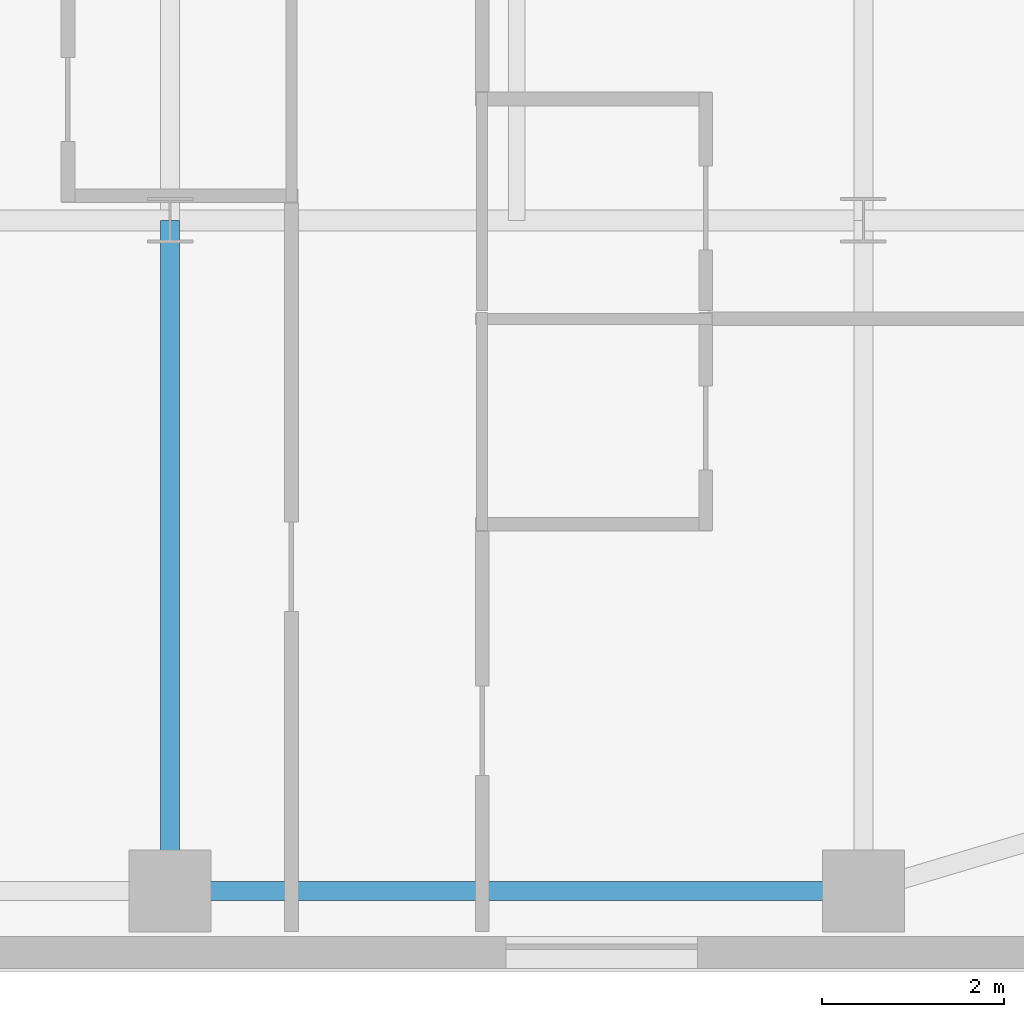
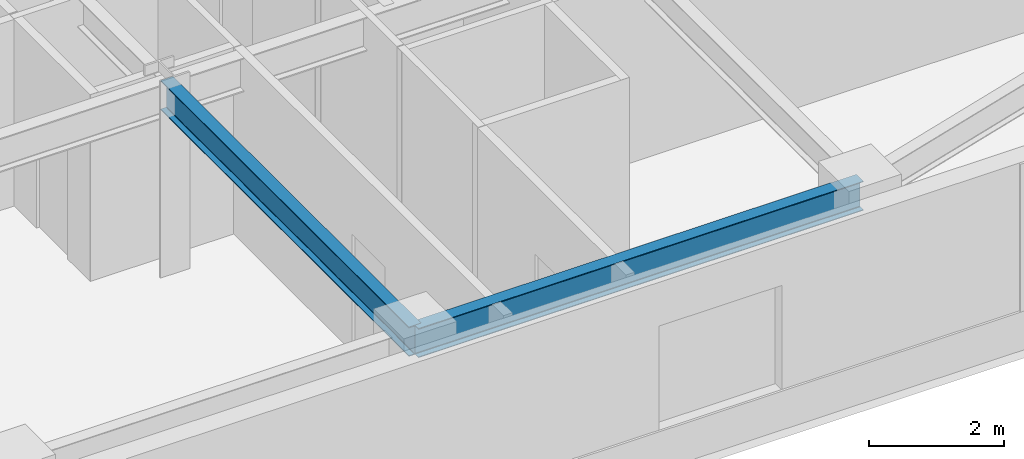
# One storey, part 8 of 24: 2 beams.
"""IFC4 building model written with IfcOpenShell, lengths in metres."""

import ifcopenshell
import ifcopenshell.guid

model = None  # the IFC model being written
_history = None  # IfcOwnerHistory: only IFC2X3 demands one
_inside = {}  # id of a spatial element -> (the spatial element, [elements in it])
_under = {}  # id of a project, library or spatial element -> (it, [spatial elements below it])
_declared = {}  # id of a project -> (the project, [libraries it declares])
_typed = {}  # id of a type object -> (the type object, [elements of that type])
_made_of = {}  # id of a material, layer set ... -> (it, [elements and type objects made of it])


def new_model(schema):
    """Start an empty IFC model of exactly this schema.

    Asked for "IFC4X3", IfcOpenShell would pick the latest addendum, in which some entities
    have other attributes; the version numbers below select the first issue.
    IFC2X3 requires an IfcOwnerHistory on every rooted entity: one is made here for all.
    """
    global model, _history
    if schema == "IFC4X3":
        model = ifcopenshell.file(schema_version=(4, 3, 0, 0))
    else:
        model = ifcopenshell.file(schema=schema)
    _inside.clear()
    _under.clear()
    _declared.clear()
    _typed.clear()
    _made_of.clear()
    _history = None
    if model.schema == "IFC2X3":
        org = make("IfcOrganization", Name="unknown")
        user = make(
            "IfcPersonAndOrganization",
            ThePerson=make("IfcPerson", FamilyName="unknown"),
            TheOrganization=org,
        )
        app = make(
            "IfcApplication",
            ApplicationDeveloper=org,
            Version="unknown",
            ApplicationFullName="unknown",
            ApplicationIdentifier="unknown",
        )
        _history = make(
            "IfcOwnerHistory",
            OwningUser=user,
            OwningApplication=app,
            ChangeAction="ADDED",
            CreationDate=0,
        )
    return model


def make(cls, **values):
    """One entity of the class cls with the attributes given. An attribute that is None is left unset."""
    return model.create_entity(
        cls, **{name: value for name, value in values.items() if value is not None}
    )


def rooted(cls, **values):
    """An entity with a GlobalId (a new one), such as an element, a storey or a relation."""
    return make(cls, GlobalId=ifcopenshell.guid.new(), OwnerHistory=_history, **values)


def si_unit(unit_type, name, prefix=None):
    """IfcSIUnit, for example si_unit("LENGTHUNIT", "METRE", prefix="MILLI")."""
    return make("IfcSIUnit", UnitType=unit_type, Prefix=prefix, Name=name)


def assignment(units):
    """IfcUnitAssignment: the units of a project."""
    return None if units is None else make("IfcUnitAssignment", Units=units)


def point(xyz):
    """IfcCartesianPoint."""
    return None if xyz is None else make("IfcCartesianPoint", Coordinates=xyz)


def direction(xyz):
    """IfcDirection."""
    return None if xyz is None else make("IfcDirection", DirectionRatios=xyz)


def frame(location, z_axis=None, x_axis=None):
    """IfcAxis2Placement3D, a coordinate frame: its origin and axes. An axis left out is left unset."""
    return make(
        "IfcAxis2Placement3D",
        Location=point(location),
        Axis=direction(z_axis),
        RefDirection=direction(x_axis),
    )


def frame_2d(location, x_axis=None):
    """IfcAxis2Placement2D, a coordinate frame in the plane: its origin and x axis."""
    return make(
        "IfcAxis2Placement2D", Location=point(location), RefDirection=direction(x_axis)
    )


def origin():
    """The frame at (0, 0, 0) with its axes left unset."""
    return frame((0.0, 0.0, 0.0))


def origin_2d():
    """The frame at (0, 0) in the plane with its x axis left unset."""
    return frame_2d((0.0, 0.0))


def place(relative_to, where):
    """IfcLocalPlacement: puts the frame where relative to a parent placement (None: the world)."""
    return make(
        "IfcLocalPlacement", PlacementRelTo=relative_to, RelativePlacement=where
    )


def context(
    kind, dimensions, precision=None, world=None, true_north=None, identifier=None
):
    """IfcGeometricRepresentationContext, for example the 3D "Model" context."""
    return make(
        "IfcGeometricRepresentationContext",
        ContextIdentifier=identifier,
        ContextType=kind,
        CoordinateSpaceDimension=dimensions,
        Precision=precision,
        WorldCoordinateSystem=world,
        TrueNorth=true_north,
    )


def subcontext(parent, identifier, kind, view, scale=None):
    """IfcGeometricRepresentationSubContext, for example "Body" below "Model"."""
    return make(
        "IfcGeometricRepresentationSubContext",
        ContextIdentifier=identifier,
        ContextType=kind,
        ParentContext=parent,
        TargetScale=scale,
        TargetView=view,
    )


def project(units=None, contexts=None):
    """IfcProject with its units and contexts."""
    return rooted(
        "IfcProject",
        Name="project",
        RepresentationContexts=contexts,
        UnitsInContext=assignment(units),
    )


def spatial(cls, under=None, at=None, **own):
    """A site, building, storey or space (cls), placed at a placement, below another one or the project."""
    s = rooted(cls, ObjectPlacement=at, **own)
    if under is not None:
        _under.setdefault(under.id(), (under, []))[1].append(s)
    return s


def profile(cls, at=None, kind="AREA", **sizes):
    """A parametric profile (cls). Its sizes go by their IFC names, for example OverallWidth=200.0."""
    return make(cls, ProfileType=kind, Position=at, **sizes)


def i_section(**sizes):
    """IfcIShapeProfileDef."""
    return profile("IfcIShapeProfileDef", **sizes)


def extrude(swept, where, along, depth):
    """IfcExtrudedAreaSolid: the profile swept, set in the frame where, extruded along a direction by depth."""
    return make(
        "IfcExtrudedAreaSolid",
        SweptArea=swept,
        Position=where,
        ExtrudedDirection=direction(along),
        Depth=depth,
    )


def shape(context_of_items, identifier, shape_type, items):
    """IfcShapeRepresentation: the items that make up one representation, for example the "Body"."""
    return make(
        "IfcShapeRepresentation",
        ContextOfItems=context_of_items,
        RepresentationIdentifier=identifier,
        RepresentationType=shape_type,
        Items=items,
    )


def source(mapping_origin, context_of_items, identifier, shape_type, items):
    """IfcRepresentationMap: a shape defined once, which mapped items show again and again."""
    return make(
        "IfcRepresentationMap",
        MappingOrigin=mapping_origin,
        MappedRepresentation=shape(context_of_items, identifier, shape_type, items),
    )


def transform(
    local_origin,
    x_axis=None,
    y_axis=None,
    z_axis=None,
    scale=None,
    scale2=None,
    scale3=None,
    uniform=True,
):
    """IfcCartesianTransformationOperator3D, or its non-uniform kind. x_axis, y_axis, z_axis: its Axis1, 2, 3."""
    if uniform:
        return make(
            "IfcCartesianTransformationOperator3D",
            Axis1=direction(x_axis),
            Axis2=direction(y_axis),
            LocalOrigin=point(local_origin),
            Scale=scale,
            Axis3=direction(z_axis),
        )
    return make(
        "IfcCartesianTransformationOperator3DnonUniform",
        Axis1=direction(x_axis),
        Axis2=direction(y_axis),
        LocalOrigin=point(local_origin),
        Scale=scale,
        Axis3=direction(z_axis),
        Scale2=scale2,
        Scale3=scale3,
    )


def mapped(mapping_source, mapping_target):
    """IfcMappedItem: shows the shape of a source again, moved by a transform."""
    return make(
        "IfcMappedItem", MappingSource=mapping_source, MappingTarget=mapping_target
    )


def material(Name=None, Category=None):
    """IfcMaterial."""
    return make("IfcMaterial", Name=Name, Category=Category)


def material_profile(
    of_material, cross_section, Name=None, Category=None, Priority=None
):
    """IfcMaterialProfile: a cross section and its material."""
    return make(
        "IfcMaterialProfile",
        Name=Name,
        Material=of_material,
        Profile=cross_section,
        Priority=Priority,
        Category=Category,
    )


def profile_set(profiles, Name=None, composite=None):
    """IfcMaterialProfileSet."""
    return make(
        "IfcMaterialProfileSet",
        Name=Name,
        MaterialProfiles=profiles,
        CompositeProfile=composite,
    )


def made_of(thing, what):
    """Note that an element or type object is made of a material, layer set ...; save() writes the relation."""
    if what is not None:
        _made_of.setdefault(what.id(), (what, []))[1].append(thing)
    return thing


def type_object(cls, material=None, **own):
    """A type object (cls), such as IfcWallType, which elements share."""
    return made_of(rooted(cls, **own), material)


def type_shapes(of_type, sources):
    """Give a type object the sources (RepresentationMaps) that its elements show as mapped items."""
    of_type.RepresentationMaps = sources


def element(
    cls,
    number,
    at=None,
    inside=None,
    cuts=None,
    type_object=None,
    material=None,
    context=None,
    identifier="Body",
    shape_type=None,
    held_by="IfcProductDefinitionShape",
    body=None,
    shapes=None,
    **own,
):
    """One element of the class cls, such as IfcWall. Its Tag is "e" and its number.

    at: its placement. inside: the storey or other place that contains it. cuts: it is an
    opening in that element (IfcRelVoidsElement). A single representation is given by context,
    identifier, shape_type and body (its items); several are given by shapes. held_by: the class
    of the entity that holds the representations. save() writes the other relations.
    """
    e = rooted(cls, Tag="e%d" % number, ObjectPlacement=at, **own)
    if body is not None:
        shapes = [shape(context, identifier, shape_type, body)]
    if shapes is not None:
        e.Representation = make(held_by, Representations=shapes)
    if inside is not None:
        _inside.setdefault(inside.id(), (inside, []))[1].append(e)
    if cuts is not None:
        rooted(
            "IfcRelVoidsElement", RelatingBuildingElement=cuts, RelatedOpeningElement=e
        )
    if type_object is not None:
        _typed.setdefault(type_object.id(), (type_object, []))[1].append(e)
    return made_of(e, material)


def aggregate(whole, parts):
    """IfcRelAggregates: a whole, such as a stair, and the parts it consists of."""
    return rooted("IfcRelAggregates", RelatingObject=whole, RelatedObjects=parts)


def save(model, path):
    """Write the relations noted so far, then the file.

    IfcRelAggregates (storeys below a building ...), IfcRelContainedInSpatialStructure (elements
    in a storey), IfcRelDefinesByType, IfcRelAssociatesMaterial and IfcRelDeclares: one each for
    every whole, place, type object, material and project.
    """
    for whole, parts in _under.values():
        aggregate(whole, parts)
    for where, things in _inside.values():
        rooted(
            "IfcRelContainedInSpatialStructure",
            RelatedElements=things,
            RelatingStructure=where,
        )
    for kind, things in _typed.values():
        rooted("IfcRelDefinesByType", RelatedObjects=things, RelatingType=kind)
    for what, things in _made_of.values():
        rooted("IfcRelAssociatesMaterial", RelatedObjects=things, RelatingMaterial=what)
    for by, libraries in _declared.values():
        rooted("IfcRelDeclares", RelatingContext=by, RelatedDefinitions=libraries)
    model.write(path)


model = new_model("IFC4")

# Units and contexts
model_context = context("Model", 3, precision=1e-05, world=origin(), true_north=direction((0.0, 1.0)))
body_context = subcontext(model_context, "Body", "Model", "MODEL_VIEW")
ifc_project = project(units=[si_unit("LENGTHUNIT", "METRE"), si_unit("AREAUNIT", "SQUARE_METRE"), si_unit("VOLUMEUNIT", "CUBIC_METRE"), si_unit("PLANEANGLEUNIT", "RADIAN"), si_unit("MASSUNIT", "GRAM", prefix="KILO")], contexts=[model_context])

# Site, building, storey
site_placement = place(None, origin())
site = spatial("IfcSite", under=ifc_project, at=site_placement, CompositionType="ELEMENT")
building_placement = place(site_placement, origin())
building = spatial("IfcBuilding", under=site, at=building_placement, Name="Tolvann Quenvar Hotel", CompositionType="ELEMENT")
storey_placement = place(building_placement, frame((0.0, 0.0, 139.949951171875)))
storey = spatial("IfcBuildingStorey", under=building, at=storey_placement, Name="L36", CompositionType="ELEMENT", Elevation=139.949951171875)

# Beams
ifc_material = material(Name="Steel Grade 350", Category="steel")
ifc_material_profile_1 = material_profile(ifc_material, i_section(OverallWidth=0.208984375, OverallDepth=0.528076171875, WebThickness=0.009521484375, FlangeThickness=0.01318359375, FilletRadius=0.013916015625, at=origin_2d()), Name="530UB82")
ifc_profile_set_1 = profile_set([ifc_material_profile_1], Name="Steel Grade 350")
beam_type_1 = type_object("IfcBeamType", Name="BM_SPAND_530UB82", PredefinedType="SPANDREL", material=ifc_profile_set_1)
shared_shape_1 = source(origin(), body_context, "Body", "SweptSolid", [
    extrude(i_section(OverallWidth=0.208984375, OverallDepth=0.528076171875, WebThickness=0.009521484375, FlangeThickness=0.01318359375, FilletRadius=0.013916015625, at=origin_2d()), origin(), (0.0, 0.0, 1.0), 7.599853515625),
])
type_shapes(beam_type_1, [shared_shape_1])
beam_1_placement = place(storey_placement, frame((41.800048828125, 0.85009765625, 3.10595703125), z_axis=(1.0, 0.0, 0.0), x_axis=(0.0, 1.0, 0.0)))
element("IfcBeam", 1, at=beam_1_placement, inside=storey, type_object=beam_type_1, Name="BM-L36-EW-2-H2-I2", PredefinedType="SPANDREL", context=body_context, shape_type="MappedRepresentation", body=[
    mapped(shared_shape_1, transform((0.0, 0.0, 0.0), x_axis=(1.0, 0.0, 0.0), y_axis=(0.0, 1.0, 0.0), z_axis=(0.0, 0.0, 1.0), scale=1.0)),
])
ifc_material_profile_2 = material_profile(ifc_material, i_section(OverallWidth=0.208984375, OverallDepth=0.532958984375, WebThickness=0.01025390625, FlangeThickness=0.015625, FilletRadius=0.013916015625, at=origin_2d()), Name="530UB92")
ifc_profile_set_2 = profile_set([ifc_material_profile_2], Name="Steel Grade 350")
beam_type_2 = type_object("IfcBeamType", Name="BM_GIRD_530UB92", PredefinedType="BEAM", material=ifc_profile_set_2)
shared_shape_2 = source(origin(), body_context, "Body", "SweptSolid", [
    extrude(i_section(OverallWidth=0.208984375, OverallDepth=0.532958984375, WebThickness=0.01025390625, FlangeThickness=0.015625, FilletRadius=0.013916015625, at=origin_2d()), origin(), (0.0, 0.0, 1.0), 7.349853515625),
])
type_shapes(beam_type_2, [shared_shape_2])
beam_2_placement = place(storey_placement, frame((41.800048828125, 0.85009765625, 3.103515625), z_axis=(0.0, 1.0, 0.0), x_axis=(-1.0, 0.0, 0.0)))
element("IfcBeam", 2, at=beam_2_placement, inside=storey, type_object=beam_type_2, Name="BM-L36-NS-H2-H3", PredefinedType="BEAM", context=body_context, shape_type="MappedRepresentation", body=[
    mapped(shared_shape_2, transform((0.0, 0.0, 0.0), x_axis=(1.0, 0.0, 0.0), y_axis=(0.0, 1.0, 0.0), z_axis=(0.0, 0.0, 1.0), scale=1.0)),
])

save(model, "model.ifc")
